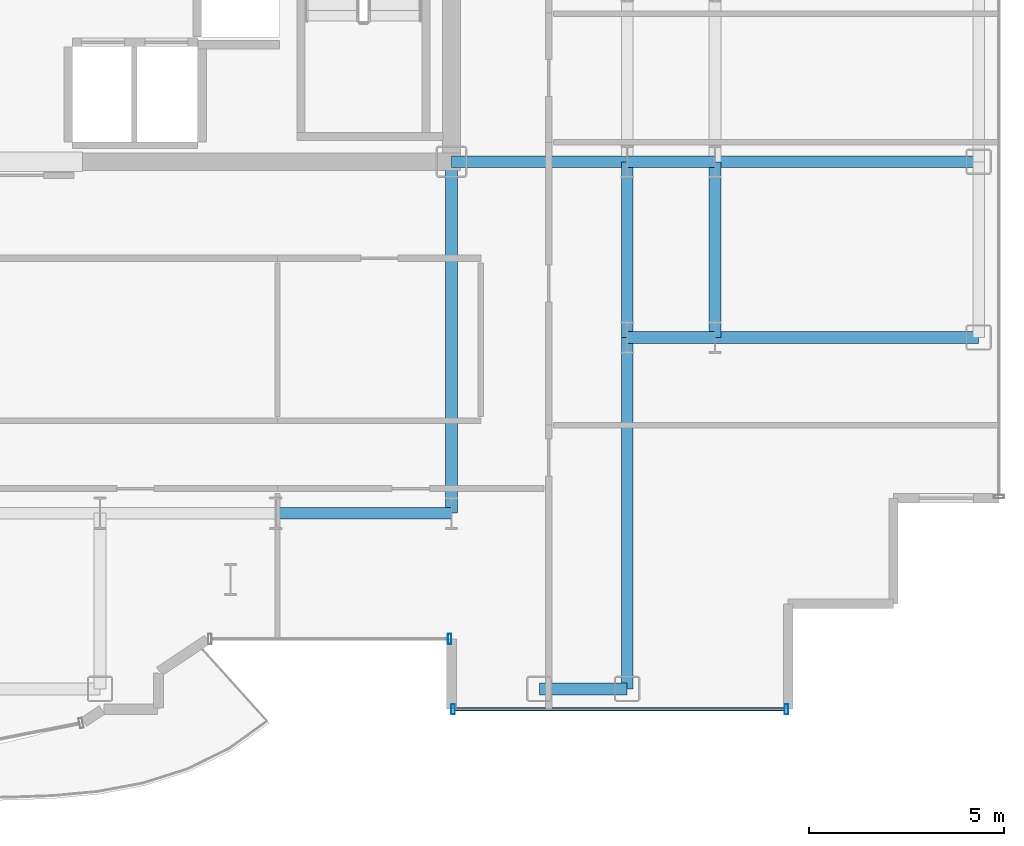
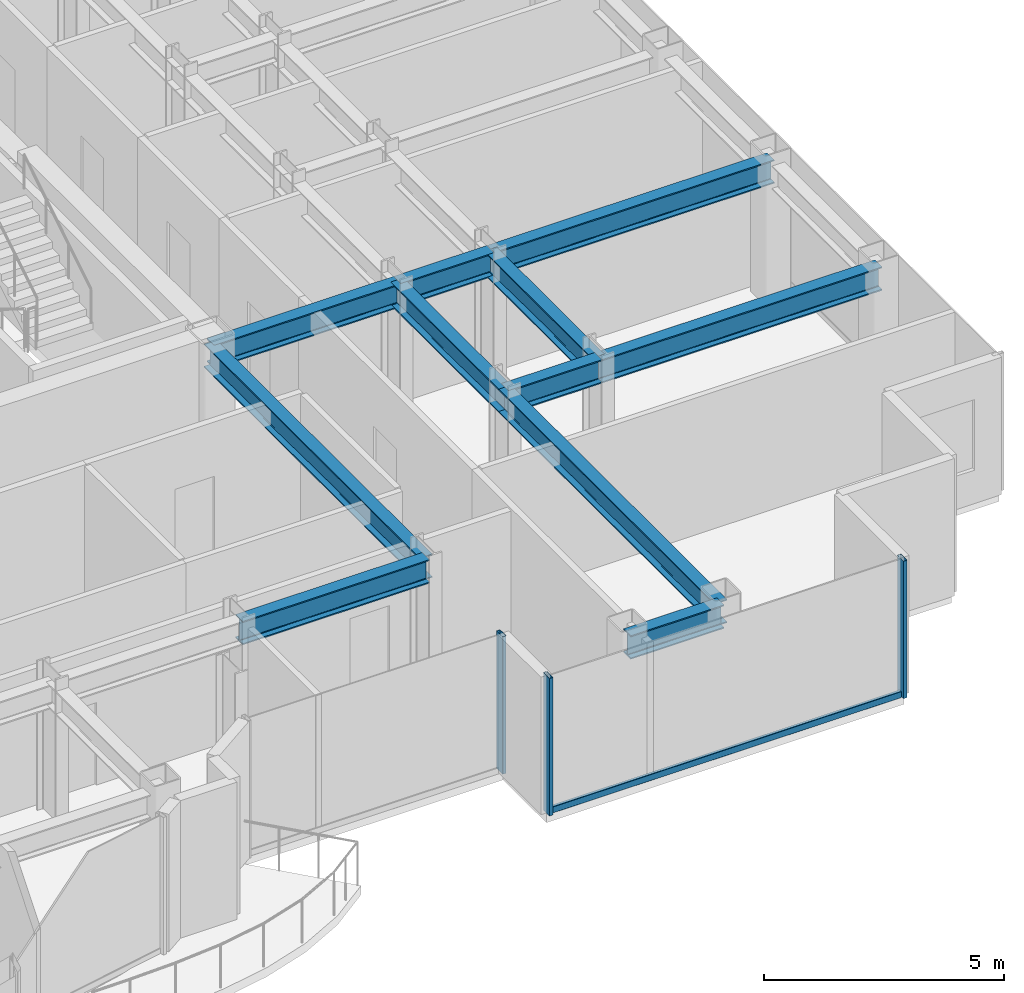
# One storey, part 5 of 21: 11 beams, 4 members, 2 elements without a shape of their own.
"""IFC4 building model written with IfcOpenShell, lengths in metres."""

from ifc_helpers import new_model, si_unit, direction, frame, origin, origin_2d, place, context, subcontext, project, spatial, hollow_rectangle, i_section, extrude, source, transform, mapped, material, layer, layer_set, material_profile, profile_set, type_object, element, aggregate, save


model = new_model("IFC4")

# Units and contexts
model_context = context("Model", 3, precision=1e-05, world=origin(), true_north=direction((0.0, 1.0)))
body_context = subcontext(model_context, "Body", "Model", "MODEL_VIEW")
ifc_project = project(units=[si_unit("LENGTHUNIT", "METRE"), si_unit("AREAUNIT", "SQUARE_METRE"), si_unit("VOLUMEUNIT", "CUBIC_METRE"), si_unit("PLANEANGLEUNIT", "RADIAN"), si_unit("MASSUNIT", "GRAM", prefix="KILO")], contexts=[model_context])

# Site, building, storey
site_placement = place(None, origin())
site = spatial("IfcSite", under=ifc_project, at=site_placement, CompositionType="ELEMENT")
building_placement = place(site_placement, origin())
building = spatial("IfcBuilding", under=site, at=building_placement, Name="Nefas-Gora Pilgrimage Tower", CompositionType="ELEMENT")
storey_placement = place(building_placement, frame((0.0, 0.0, 256.0)))
storey = spatial("IfcBuildingStorey", under=building, at=storey_placement, Name="L64", CompositionType="ELEMENT", Elevation=256.0)

# Beams
ifc_material_1 = material(Name="Steel S355", Category="steel")
ifc_material_profile_1 = material_profile(ifc_material_1, i_section(OverallWidth=0.300048828125, OverallDepth=0.60009765625, WebThickness=0.015380859375, FlangeThickness=0.030029296875, FilletRadius=0.027099609375, at=origin_2d()), Name="HEB 600")
ifc_profile_set_1 = profile_set([ifc_material_profile_1], Name="Steel S355")
beam_type_1 = type_object("IfcBeamType", Name="BM-GIR-HEB600", PredefinedType="BEAM", material=ifc_profile_set_1)
shared_shape_1 = source(origin(), body_context, "Body", "SweptSolid", [
    extrude(i_section(OverallWidth=0.300048828125, OverallDepth=0.60009765625, WebThickness=0.015380859375, FlangeThickness=0.030029296875, FilletRadius=0.027099609375, at=origin_2d()), origin(), (0.0, 0.0, 1.0), 9.0),
])
for number, where, z_axis, x_axis, name in (
    (1, (11.25, -18.0, 3.199951171875), (0.0, 1.0, 0.0), (-1.0, 0.0, 0.0), "L64 G-04 beam"),
    (2, (15.75, -22.5, 3.199951171875), (0.0, 1.0, 0.0), (-1.0, 0.0, 0.0), "L64 G-04 beam"),
):
    element("IfcBeam", number, at=place(storey_placement, frame(where, z_axis=z_axis, x_axis=x_axis)), inside=storey, type_object=beam_type_1, Name=name, PredefinedType="BEAM", context=body_context, shape_type="MappedRepresentation", body=[
        mapped(shared_shape_1, transform((0.0, 0.0, 0.0), x_axis=(1.0, 0.0, 0.0), y_axis=(0.0, 1.0, 0.0), z_axis=(0.0, 0.0, 1.0), scale=1.0)),
    ])
shared_shape_2 = source(origin(), body_context, "Body", "SweptSolid", [
    extrude(i_section(OverallWidth=0.300048828125, OverallDepth=0.60009765625, WebThickness=0.015380859375, FlangeThickness=0.030029296875, FilletRadius=0.027099609375, at=origin_2d()), origin(), (0.0, 0.0, 1.0), 4.5),
])
for number, where, z_axis, x_axis, name in (
    (3, (6.75, -18.0, 3.199951171875), (1.0, 0.0, 0.0), (0.0, 1.0, 0.0), "L64 G-04 beam"),
    (4, (11.25, -9.0, 3.199951171875), (1.0, 0.0, 0.0), (0.0, 1.0, 0.0), "L64 G-04 beam"),
    (5, (15.75, -13.5, 3.199951171875), (0.0, 1.0, 0.0), (-1.0, 0.0, 0.0), "L64 G-04 beam"),
    (6, (18.0, -13.5, 3.199951171875), (0.0, 1.0, 0.0), (-1.0, 0.0, 0.0), "L64 G-04 beam"),
):
    element("IfcBeam", number, at=place(storey_placement, frame(where, z_axis=z_axis, x_axis=x_axis)), inside=storey, type_object=beam_type_1, Name=name, PredefinedType="BEAM", context=body_context, shape_type="MappedRepresentation", body=[
        mapped(shared_shape_2, transform((0.0, 0.0, 0.0), x_axis=(1.0, 0.0, 0.0), y_axis=(0.0, 1.0, 0.0), z_axis=(0.0, 0.0, 1.0), scale=1.0)),
    ])
shared_shape_3 = source(origin(), body_context, "Body", "SweptSolid", [
    extrude(i_section(OverallWidth=0.300048828125, OverallDepth=0.60009765625, WebThickness=0.015380859375, FlangeThickness=0.030029296875, FilletRadius=0.027099609375, at=origin_2d()), origin(), (0.0, 0.0, 1.0), 6.75),
])
for number, where, z_axis, x_axis, name in (
    (7, (18.0, -13.5, 3.199951171875), (1.0, 0.0, 0.0), (0.0, 1.0, 0.0), "L64 G-04 beam"),
    (8, (18.0, -9.0, 3.199951171875), (1.0, 0.0, 0.0), (0.0, 1.0, 0.0), "L64 G-04 beam"),
):
    element("IfcBeam", number, at=place(storey_placement, frame(where, z_axis=z_axis, x_axis=x_axis)), inside=storey, type_object=beam_type_1, Name=name, PredefinedType="BEAM", context=body_context, shape_type="MappedRepresentation", body=[
        mapped(shared_shape_3, transform((0.0, 0.0, 0.0), x_axis=(1.0, 0.0, 0.0), y_axis=(0.0, 1.0, 0.0), z_axis=(0.0, 0.0, 1.0), scale=1.0)),
    ])
ifc_material_profile_2 = material_profile(ifc_material_1, i_section(OverallWidth=0.300048828125, OverallDepth=0.60009765625, WebThickness=0.015380859375, FlangeThickness=0.030029296875, FilletRadius=0.027099609375, at=origin_2d()), Name="HEB 600")
ifc_profile_set_2 = profile_set([ifc_material_profile_2], Name="Steel S355")
beam_type_2 = type_object("IfcBeamType", Name="BM-SPN-HEB450", PredefinedType="SPANDREL", material=ifc_profile_set_2)
shared_shape_4 = source(origin(), body_context, "Body", "SweptSolid", [
    extrude(i_section(OverallWidth=0.300048828125, OverallDepth=0.60009765625, WebThickness=0.015380859375, FlangeThickness=0.030029296875, FilletRadius=0.027099609375, at=origin_2d()), origin(), (0.0, 0.0, 1.0), 2.25),
])
beam_placement = place(storey_placement, frame((13.5, -22.5, 3.199951171875), z_axis=(1.0, 0.0, 0.0), x_axis=(0.0, 1.0, 0.0)))
element("IfcBeam", 9, at=beam_placement, inside=storey, type_object=beam_type_2, Name="L64 SP-03 beam", PredefinedType="SPANDREL", context=body_context, shape_type="MappedRepresentation", body=[
    mapped(shared_shape_4, transform((0.0, 0.0, 0.0), x_axis=(1.0, 0.0, 0.0), y_axis=(0.0, 1.0, 0.0), z_axis=(0.0, 0.0, 1.0), scale=1.0)),
])
shared_shape_5 = source(origin(), body_context, "Body", "SweptSolid", [
    extrude(i_section(OverallWidth=0.300048828125, OverallDepth=0.60009765625, WebThickness=0.015380859375, FlangeThickness=0.030029296875, FilletRadius=0.027099609375, at=origin_2d()), origin(), (0.0, 0.0, 1.0), 2.25),
])
for number, where, z_axis, x_axis, name in (
    (10, (15.75, -13.5, 3.199951171875), (1.0, 0.0, 0.0), (0.0, 1.0, 0.0), "L64 G-04 beam"),
    (11, (15.75, -9.0, 3.199951171875), (1.0, 0.0, 0.0), (0.0, 1.0, 0.0), "L64 G-04 beam"),
):
    element("IfcBeam", number, at=place(storey_placement, frame(where, z_axis=z_axis, x_axis=x_axis)), inside=storey, type_object=beam_type_1, Name=name, PredefinedType="BEAM", context=body_context, shape_type="MappedRepresentation", body=[
        mapped(shared_shape_5, transform((0.0, 0.0, 0.0), x_axis=(1.0, 0.0, 0.0), y_axis=(0.0, 1.0, 0.0), z_axis=(0.0, 0.0, 1.0), scale=1.0)),
    ])

# Curtain wall, member
ifc_material_2 = material(Name="Dark ceramic-fritted solar-control aluminium-glass curtain wall", Category="aluminium")
ifc_layer_1 = layer(ifc_material_2, 0.219970703125)
ifc_layer_set_1 = layer_set([ifc_layer_1], Name="Dark ceramic-fritted solar-control aluminium-glass curtain wall")
curtain_wall_type_1 = type_object("IfcCurtainWallType", Name="CW-SYS-5", PredefinedType="NOTDEFINED", material=ifc_layer_set_1)
curtain_wall_1_placement = place(storey_placement, origin())
curtain_wall_1 = element("IfcCurtainWall", 12, at=curtain_wall_1_placement, inside=storey, type_object=curtain_wall_type_1, Name="L64 Unitised Curtain Wall CW5", PredefinedType="NOTDEFINED")
ifc_material_3 = material(Name="Anodised architectural aluminium", Category="aluminium")
ifc_material_profile_3 = material_profile(ifc_material_3, hollow_rectangle(XDim=0.090087890625, YDim=0.260009765625, WallThickness=0.006103515625, InnerFilletRadius=0.006103515625, OuterFilletRadius=0.011962890625, at=origin_2d()), Name="ALU MULLION 90x260")
ifc_profile_set_3 = profile_set([ifc_material_profile_3], Name="Anodised architectural aluminium")
member_type_1 = type_object("IfcMemberType", Name="CWM-MUL-5", PredefinedType="MULLION", material=ifc_profile_set_3)
shared_shape_6 = source(origin(), body_context, "Body", "SweptSolid", [
    extrude(hollow_rectangle(XDim=0.090087890625, YDim=0.260009765625, WallThickness=0.006103515625, InnerFilletRadius=0.006103515625, OuterFilletRadius=0.011962890625, at=origin_2d()), origin(), (0.0, 0.0, 1.0), 3.5),
])
member_1_placement = place(storey_placement, frame((11.205078125, -21.219970703125, 0.0), z_axis=(0.0, 0.0, 1.0), x_axis=(1.0, 0.0, 0.0)))
member_1 = element("IfcMember", 13, at=member_1_placement, type_object=member_type_1, Name="CW5 Mullion 2", PredefinedType="MULLION", context=body_context, shape_type="MappedRepresentation", body=[
    mapped(shared_shape_6, transform((0.0, 0.0, 0.0), x_axis=(1.0, 0.0, 0.0), y_axis=(0.0, 1.0, 0.0), z_axis=(0.0, 0.0, 1.0), scale=1.0)),
])
aggregate(curtain_wall_1, [member_1])

# Curtain wall, members
ifc_layer_2 = layer(ifc_material_2, 0.219970703125)
ifc_layer_set_2 = layer_set([ifc_layer_2], Name="Dark ceramic-fritted solar-control aluminium-glass curtain wall")
curtain_wall_type_2 = type_object("IfcCurtainWallType", Name="CW-SYS-3", PredefinedType="NOTDEFINED", material=ifc_layer_set_2)
curtain_wall_2_placement = place(storey_placement, origin())
curtain_wall_2 = element("IfcCurtainWall", 14, at=curtain_wall_2_placement, inside=storey, type_object=curtain_wall_type_2, Name="L64 Unitised Curtain Wall CW3", PredefinedType="NOTDEFINED")
ifc_material_profile_4 = material_profile(ifc_material_3, hollow_rectangle(XDim=0.080078125, YDim=0.159912109375, WallThickness=0.00439453125, InnerFilletRadius=0.00439453125, OuterFilletRadius=0.009033203125, at=origin_2d()), Name="ALU TRANSOM 80x160")
ifc_profile_set_4 = profile_set([ifc_material_profile_4], Name="Anodised architectural aluminium")
member_type_2 = type_object("IfcMemberType", Name="CWM-TRN-3", PredefinedType="USERDEFINED", material=ifc_profile_set_4)
shared_shape_7 = source(origin(), body_context, "Body", "SweptSolid", [
    extrude(hollow_rectangle(XDim=0.080078125, YDim=0.159912109375, WallThickness=0.00439453125, InnerFilletRadius=0.00439453125, OuterFilletRadius=0.009033203125, at=origin_2d()), origin(), (0.0, 0.0, 1.0), 8.43994140625),
])
member_2_placement = place(storey_placement, frame((11.340087890625, -23.02001953125, 0.050048828125), z_axis=(1.0, 0.0, 0.0), x_axis=(0.0, 1.0, 0.0)))
member_2 = element("IfcMember", 15, at=member_2_placement, type_object=member_type_2, Name="CW3 Spandrel Transom", ObjectType="TRANSOM", PredefinedType="USERDEFINED", context=body_context, shape_type="MappedRepresentation", body=[
    mapped(shared_shape_7, transform((0.0, 0.0, 0.0), x_axis=(1.0, 0.0, 0.0), y_axis=(0.0, 1.0, 0.0), z_axis=(0.0, 0.0, 1.0), scale=1.0)),
])
ifc_material_profile_5 = material_profile(ifc_material_3, hollow_rectangle(XDim=0.090087890625, YDim=0.260009765625, WallThickness=0.006103515625, InnerFilletRadius=0.006103515625, OuterFilletRadius=0.011962890625, at=origin_2d()), Name="ALU MULLION 90x260")
ifc_profile_set_5 = profile_set([ifc_material_profile_5], Name="Anodised architectural aluminium")
member_type_3 = type_object("IfcMemberType", Name="CWM-MUL-3", PredefinedType="MULLION", material=ifc_profile_set_5)
shared_shape_8 = source(origin(), body_context, "Body", "SweptSolid", [
    extrude(hollow_rectangle(XDim=0.090087890625, YDim=0.260009765625, WallThickness=0.006103515625, InnerFilletRadius=0.006103515625, OuterFilletRadius=0.011962890625, at=origin_2d()), origin(), (0.0, 0.0, 1.0), 3.5),
])
member_3_placement = place(storey_placement, frame((11.294921875, -23.02001953125, 0.0), z_axis=(0.0, 0.0, 1.0), x_axis=(1.0, 0.0, 0.0)))
member_3 = element("IfcMember", 16, at=member_3_placement, type_object=member_type_3, Name="CW3 Mullion 1", PredefinedType="MULLION", context=body_context, shape_type="MappedRepresentation", body=[
    mapped(shared_shape_8, transform((0.0, 0.0, 0.0), x_axis=(1.0, 0.0, 0.0), y_axis=(0.0, 1.0, 0.0), z_axis=(0.0, 0.0, 1.0), scale=1.0)),
])
member_4_placement = place(storey_placement, frame((19.824951171875, -23.02001953125, 0.0), z_axis=(0.0, 0.0, 1.0), x_axis=(1.0, 0.0, 0.0)))
member_4 = element("IfcMember", 17, at=member_4_placement, type_object=member_type_3, Name="CW3 Mullion 2", PredefinedType="MULLION", context=body_context, shape_type="MappedRepresentation", body=[
    mapped(shared_shape_8, transform((0.0, 0.0, 0.0), x_axis=(1.0, 0.0, 0.0), y_axis=(0.0, 1.0, 0.0), z_axis=(0.0, 0.0, 1.0), scale=1.0)),
])
aggregate(curtain_wall_2, [member_3, member_4, member_2])

save(model, "model.ifc")
